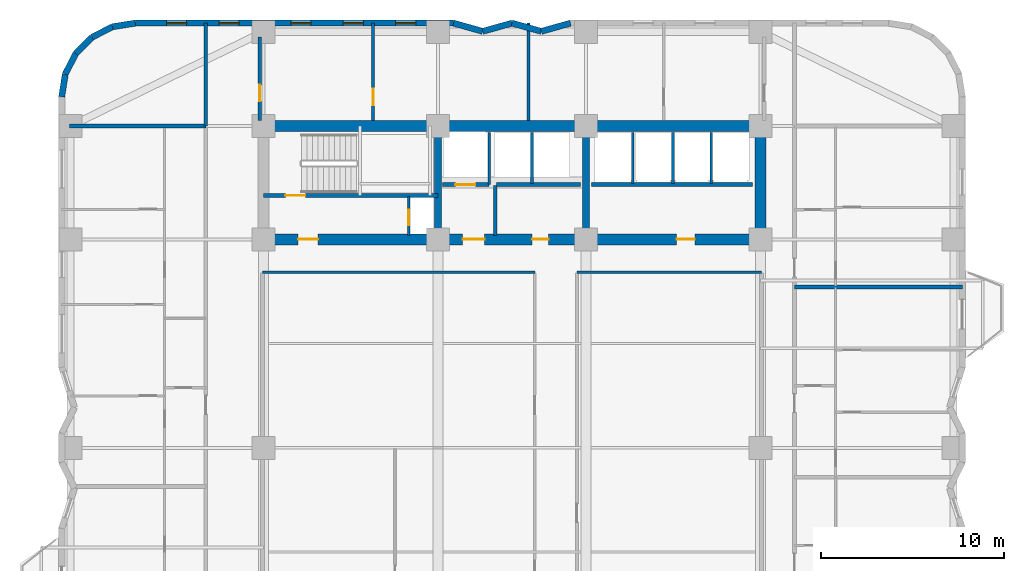
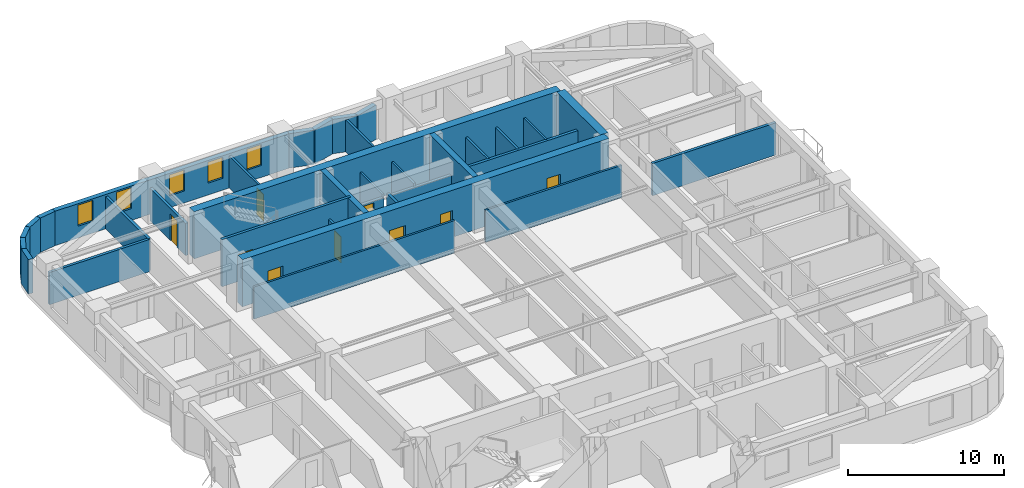
# One storey, part 6 of 9: 34 walls, 9 doors, 5 windows, 14 openings.
"""IFC4 building model written with IfcOpenShell, lengths in metres."""

import ifcopenshell
import ifcopenshell.guid

model = None  # the IFC model being written
_history = None  # IfcOwnerHistory: only IFC2X3 demands one
_inside = {}  # id of a spatial element -> (the spatial element, [elements in it])
_under = {}  # id of a project, library or spatial element -> (it, [spatial elements below it])
_declared = {}  # id of a project -> (the project, [libraries it declares])
_typed = {}  # id of a type object -> (the type object, [elements of that type])
_made_of = {}  # id of a material, layer set ... -> (it, [elements and type objects made of it])


def new_model(schema):
    """Start an empty IFC model of exactly this schema.

    Asked for "IFC4X3", IfcOpenShell would pick the latest addendum, in which some entities
    have other attributes; the version numbers below select the first issue.
    IFC2X3 requires an IfcOwnerHistory on every rooted entity: one is made here for all.
    """
    global model, _history
    if schema == "IFC4X3":
        model = ifcopenshell.file(schema_version=(4, 3, 0, 0))
    else:
        model = ifcopenshell.file(schema=schema)
    _inside.clear()
    _under.clear()
    _declared.clear()
    _typed.clear()
    _made_of.clear()
    _history = None
    if model.schema == "IFC2X3":
        org = make("IfcOrganization", Name="unknown")
        user = make(
            "IfcPersonAndOrganization",
            ThePerson=make("IfcPerson", FamilyName="unknown"),
            TheOrganization=org,
        )
        app = make(
            "IfcApplication",
            ApplicationDeveloper=org,
            Version="unknown",
            ApplicationFullName="unknown",
            ApplicationIdentifier="unknown",
        )
        _history = make(
            "IfcOwnerHistory",
            OwningUser=user,
            OwningApplication=app,
            ChangeAction="ADDED",
            CreationDate=0,
        )
    return model


def make(cls, **values):
    """One entity of the class cls with the attributes given. An attribute that is None is left unset."""
    return model.create_entity(
        cls, **{name: value for name, value in values.items() if value is not None}
    )


def rooted(cls, **values):
    """An entity with a GlobalId (a new one), such as an element, a storey or a relation."""
    return make(cls, GlobalId=ifcopenshell.guid.new(), OwnerHistory=_history, **values)


def si_unit(unit_type, name, prefix=None):
    """IfcSIUnit, for example si_unit("LENGTHUNIT", "METRE", prefix="MILLI")."""
    return make("IfcSIUnit", UnitType=unit_type, Prefix=prefix, Name=name)


def assignment(units):
    """IfcUnitAssignment: the units of a project."""
    return None if units is None else make("IfcUnitAssignment", Units=units)


def point(xyz):
    """IfcCartesianPoint."""
    return None if xyz is None else make("IfcCartesianPoint", Coordinates=xyz)


def direction(xyz):
    """IfcDirection."""
    return None if xyz is None else make("IfcDirection", DirectionRatios=xyz)


def frame(location, z_axis=None, x_axis=None):
    """IfcAxis2Placement3D, a coordinate frame: its origin and axes. An axis left out is left unset."""
    return make(
        "IfcAxis2Placement3D",
        Location=point(location),
        Axis=direction(z_axis),
        RefDirection=direction(x_axis),
    )


def frame_2d(location, x_axis=None):
    """IfcAxis2Placement2D, a coordinate frame in the plane: its origin and x axis."""
    return make(
        "IfcAxis2Placement2D", Location=point(location), RefDirection=direction(x_axis)
    )


def origin():
    """The frame at (0, 0, 0) with its axes left unset."""
    return frame((0.0, 0.0, 0.0))


def place(relative_to, where):
    """IfcLocalPlacement: puts the frame where relative to a parent placement (None: the world)."""
    return make(
        "IfcLocalPlacement", PlacementRelTo=relative_to, RelativePlacement=where
    )


def context(
    kind, dimensions, precision=None, world=None, true_north=None, identifier=None
):
    """IfcGeometricRepresentationContext, for example the 3D "Model" context."""
    return make(
        "IfcGeometricRepresentationContext",
        ContextIdentifier=identifier,
        ContextType=kind,
        CoordinateSpaceDimension=dimensions,
        Precision=precision,
        WorldCoordinateSystem=world,
        TrueNorth=true_north,
    )


def subcontext(parent, identifier, kind, view, scale=None):
    """IfcGeometricRepresentationSubContext, for example "Body" below "Model"."""
    return make(
        "IfcGeometricRepresentationSubContext",
        ContextIdentifier=identifier,
        ContextType=kind,
        ParentContext=parent,
        TargetScale=scale,
        TargetView=view,
    )


def project(units=None, contexts=None):
    """IfcProject with its units and contexts."""
    return rooted(
        "IfcProject",
        Name="project",
        RepresentationContexts=contexts,
        UnitsInContext=assignment(units),
    )


def spatial(cls, under=None, at=None, **own):
    """A site, building, storey or space (cls), placed at a placement, below another one or the project."""
    s = rooted(cls, ObjectPlacement=at, **own)
    if under is not None:
        _under.setdefault(under.id(), (under, []))[1].append(s)
    return s


def profile(cls, at=None, kind="AREA", **sizes):
    """A parametric profile (cls). Its sizes go by their IFC names, for example OverallWidth=200.0."""
    return make(cls, ProfileType=kind, Position=at, **sizes)


def rectangle(**sizes):
    """IfcRectangleProfileDef."""
    return profile("IfcRectangleProfileDef", **sizes)


def extrude(swept, where, along, depth):
    """IfcExtrudedAreaSolid: the profile swept, set in the frame where, extruded along a direction by depth."""
    return make(
        "IfcExtrudedAreaSolid",
        SweptArea=swept,
        Position=where,
        ExtrudedDirection=direction(along),
        Depth=depth,
    )


def shape(context_of_items, identifier, shape_type, items):
    """IfcShapeRepresentation: the items that make up one representation, for example the "Body"."""
    return make(
        "IfcShapeRepresentation",
        ContextOfItems=context_of_items,
        RepresentationIdentifier=identifier,
        RepresentationType=shape_type,
        Items=items,
    )


def material(Name=None, Category=None):
    """IfcMaterial."""
    return make("IfcMaterial", Name=Name, Category=Category)


def layer(
    of_material, thickness, ventilated=None, Name=None, Category=None, Priority=None
):
    """IfcMaterialLayer: one layer of a wall or slab, of a material (None: an air gap)."""
    return make(
        "IfcMaterialLayer",
        Material=of_material,
        LayerThickness=thickness,
        IsVentilated=ventilated,
        Name=Name,
        Category=Category,
        Priority=Priority,
    )


def layer_set(layers, Name=None):
    """IfcMaterialLayerSet."""
    return make("IfcMaterialLayerSet", MaterialLayers=layers, LayerSetName=Name)


def made_of(thing, what):
    """Note that an element or type object is made of a material, layer set ...; save() writes the relation."""
    if what is not None:
        _made_of.setdefault(what.id(), (what, []))[1].append(thing)
    return thing


def type_object(cls, material=None, **own):
    """A type object (cls), such as IfcWallType, which elements share."""
    return made_of(rooted(cls, **own), material)


def element(
    cls,
    number,
    at=None,
    inside=None,
    cuts=None,
    type_object=None,
    material=None,
    context=None,
    identifier="Body",
    shape_type=None,
    held_by="IfcProductDefinitionShape",
    body=None,
    shapes=None,
    **own,
):
    """One element of the class cls, such as IfcWall. Its Tag is "e" and its number.

    at: its placement. inside: the storey or other place that contains it. cuts: it is an
    opening in that element (IfcRelVoidsElement). A single representation is given by context,
    identifier, shape_type and body (its items); several are given by shapes. held_by: the class
    of the entity that holds the representations. save() writes the other relations.
    """
    e = rooted(cls, Tag="e%d" % number, ObjectPlacement=at, **own)
    if body is not None:
        shapes = [shape(context, identifier, shape_type, body)]
    if shapes is not None:
        e.Representation = make(held_by, Representations=shapes)
    if inside is not None:
        _inside.setdefault(inside.id(), (inside, []))[1].append(e)
    if cuts is not None:
        rooted(
            "IfcRelVoidsElement", RelatingBuildingElement=cuts, RelatedOpeningElement=e
        )
    if type_object is not None:
        _typed.setdefault(type_object.id(), (type_object, []))[1].append(e)
    return made_of(e, material)


def fill(opening, filler):
    """IfcRelFillsElement: the door or window that sits in an opening."""
    return rooted(
        "IfcRelFillsElement",
        RelatingOpeningElement=opening,
        RelatedBuildingElement=filler,
    )


def aggregate(whole, parts):
    """IfcRelAggregates: a whole, such as a stair, and the parts it consists of."""
    return rooted("IfcRelAggregates", RelatingObject=whole, RelatedObjects=parts)


def save(model, path):
    """Write the relations noted so far, then the file.

    IfcRelAggregates (storeys below a building ...), IfcRelContainedInSpatialStructure (elements
    in a storey), IfcRelDefinesByType, IfcRelAssociatesMaterial and IfcRelDeclares: one each for
    every whole, place, type object, material and project.
    """
    for whole, parts in _under.values():
        aggregate(whole, parts)
    for where, things in _inside.values():
        rooted(
            "IfcRelContainedInSpatialStructure",
            RelatedElements=things,
            RelatingStructure=where,
        )
    for kind, things in _typed.values():
        rooted("IfcRelDefinesByType", RelatedObjects=things, RelatingType=kind)
    for what, things in _made_of.values():
        rooted("IfcRelAssociatesMaterial", RelatedObjects=things, RelatingMaterial=what)
    for by, libraries in _declared.values():
        rooted("IfcRelDeclares", RelatingContext=by, RelatedDefinitions=libraries)
    model.write(path)


model = new_model("IFC4")

# Units and contexts
model_context = context("Model", 3, precision=1e-05, world=origin(), true_north=direction((0.0, 1.0)))
body_context = subcontext(model_context, "Body", "Model", "MODEL_VIEW")
ifc_project = project(units=[si_unit("LENGTHUNIT", "METRE"), si_unit("AREAUNIT", "SQUARE_METRE"), si_unit("VOLUMEUNIT", "CUBIC_METRE"), si_unit("PLANEANGLEUNIT", "RADIAN"), si_unit("MASSUNIT", "GRAM", prefix="KILO")], contexts=[model_context])

# Site, building, storey
site_placement = place(None, origin())
site = spatial("IfcSite", under=ifc_project, at=site_placement, CompositionType="ELEMENT")
building_placement = place(site_placement, origin())
building = spatial("IfcBuilding", under=site, at=building_placement, Name="Svetorya Sky Lyceum", CompositionType="ELEMENT")
storey_placement = place(building_placement, frame((0.0, 0.0, 62.10009765625)))
storey = spatial("IfcBuildingStorey", under=building, at=storey_placement, Name="L15", CompositionType="ELEMENT", Elevation=62.10009765625)

# Walls
ifc_material_1 = material(Name="Concrete C40/50", Category="concrete")
ifc_layer_1 = layer(ifc_material_1, 0.39990234375)
ifc_layer_set_1 = layer_set([ifc_layer_1], Name="Concrete C40/50")
wall_type_1 = type_object("IfcWallType", Name="WL-CORE-400", PredefinedType="SHEAR", material=ifc_layer_set_1)
for number, where, z_axis, x_axis, name in (
    (1, (35.14990234375, 39.89990234375, 0.0), (0.0, 0.0, 1.0), (0.0, 1.0, 0.0), "L15 NC Internal Shear Web WEB1"),
    (2, (43.25, 39.89990234375, 0.0), (0.0, 0.0, 1.0), (0.0, 1.0, 0.0), "L15 NC Internal Shear Web WEB2"),
):
    element("IfcWall", number, at=place(storey_placement, frame(where, z_axis=z_axis, x_axis=x_axis)), inside=storey, type_object=wall_type_1, Name=name, PredefinedType="SHEAR", context=body_context, shape_type="SweptSolid", body=[
        extrude(rectangle(XDim=5.60009765625, YDim=0.39990234375, at=frame_2d((2.800048828125, 0.0))), origin(), (0.0, 0.0, 1.0), 3.699951171875),
    ])
ifc_material_2 = material(Name="Concrete C60/75", Category="concrete")
ifc_layer_2 = layer(ifc_material_2, 0.60009765625)
ifc_layer_set_2 = layer_set([ifc_layer_2], Name="Concrete C60/75")
wall_type_2 = type_object("IfcWallType", Name="WL-CORE-600", PredefinedType="SHEAR", material=ifc_layer_set_2)
wall_1_placement = place(storey_placement, frame((25.60009765625, 45.800048828125, 0.0), z_axis=(0.0, 0.0, 1.0), x_axis=(1.0, 0.0, 0.0)))
element("IfcWall", 3, at=wall_1_placement, inside=storey, type_object=wall_type_2, Name="L15 NC Outer Core Shear Wall", PredefinedType="SHEAR", context=body_context, shape_type="SweptSolid", body=[
    extrude(rectangle(XDim=27.199951171875, YDim=0.60009765625, at=frame_2d((13.60009765625, 0.0))), origin(), (0.0, 0.0, 1.0), 3.699951171875),
])
wall_2_placement = place(storey_placement, frame((52.800048828125, 39.89990234375, 0.0), z_axis=(0.0, 0.0, 1.0), x_axis=(0.0, 1.0, 0.0)))
element("IfcWall", 4, at=wall_2_placement, inside=storey, type_object=wall_type_2, Name="L15 NC East Core Shear Wall", PredefinedType="SHEAR", context=body_context, shape_type="SweptSolid", body=[
    extrude(rectangle(XDim=5.60009765625, YDim=0.60009765625, at=frame_2d((2.800048828125, 0.0))), origin(), (0.0, 0.0, 1.0), 3.699951171875),
])

# Wall, openings, doors
wall_3_placement = place(storey_placement, frame((52.800048828125, 39.60009765625, 0.0), z_axis=(0.0, 0.0, 1.0), x_axis=(-1.0, 0.0, 0.0)))
wall_3 = element("IfcWall", 5, at=wall_3_placement, inside=storey, type_object=wall_type_2, Name="L15 NC Inner Core Shear Wall", PredefinedType="SHEAR", context=body_context, shape_type="SweptSolid", body=[
    extrude(rectangle(XDim=27.199951171875, YDim=0.60009765625, at=frame_2d((13.60009765625, 0.0))), origin(), (0.0, 0.0, 1.0), 3.699951171875),
])
opening_1_placement = place(wall_3_placement, frame((24.199951171875, 0.0, 0.0)))
opening_1 = element("IfcOpeningElement", 6, at=opening_1_placement, cuts=wall_3, Name="Opening D-ST1", PredefinedType="OPENING", context=body_context, shape_type="SweptSolid", body=[
    extrude(rectangle(XDim=1.10009765625, YDim=2.14990234375, at=frame_2d((0.550048828125, 1.074951171875))), frame((0.0, 0.31005859375, 0.0), z_axis=(0.0, -1.0, 0.0), x_axis=(1.0, 0.0, 0.0)), (0.0, 0.0, 1.0), 0.6201171875),
])
opening_2_placement = place(wall_3_placement, frame((15.10009765625, 0.0, 0.0)))
opening_2 = element("IfcOpeningElement", 7, at=opening_2_placement, cuts=wall_3, Name="Opening D-FL1", PredefinedType="OPENING", context=body_context, shape_type="SweptSolid", body=[
    extrude(rectangle(XDim=1.199951171875, YDim=2.14990234375, at=frame_2d((0.60009765625, 1.074951171875))), frame((0.0, 0.31005859375, 0.0), z_axis=(0.0, -1.0, 0.0), x_axis=(1.0, 0.0, 0.0)), (0.0, 0.0, 1.0), 0.6201171875),
])
opening_3_placement = place(wall_3_placement, frame((11.60009765625, 0.0, 0.0)))
opening_3 = element("IfcOpeningElement", 8, at=opening_3_placement, cuts=wall_3, Name="Opening D-RM1", PredefinedType="OPENING", context=body_context, shape_type="SweptSolid", body=[
    extrude(rectangle(XDim=0.89990234375, YDim=2.10009765625, at=frame_2d((0.449951171875, 1.050048828125))), frame((0.0, 0.31005859375, 0.0), z_axis=(0.0, -1.0, 0.0), x_axis=(1.0, 0.0, 0.0)), (0.0, 0.0, 1.0), 0.6201171875),
])
opening_4_placement = place(wall_3_placement, frame((3.60009765625, 0.0, 0.0)))
opening_4 = element("IfcOpeningElement", 9, at=opening_4_placement, cuts=wall_3, Name="Opening D-RM2", PredefinedType="OPENING", context=body_context, shape_type="SweptSolid", body=[
    extrude(rectangle(XDim=1.0, YDim=2.14990234375, at=frame_2d((0.5, 1.074951171875))), frame((0.0, 0.31005859375, 0.0), z_axis=(0.0, -1.0, 0.0), x_axis=(1.0, 0.0, 0.0)), (0.0, 0.0, 1.0), 0.6201171875),
])
ifc_material_3 = material(Name="Powder-coated insulated galvanized stair fire door")
door_type_1 = type_object("IfcDoorType", Name="DR-FIRE-1100", OperationType="SINGLE_SWING_LEFT", PredefinedType="DOOR", material=ifc_material_3)
door_1_placement = place(opening_1_placement, origin())
door_1 = element("IfcDoor", 10, at=door_1_placement, inside=storey, type_object=door_type_1, Name="L15 North Stair Airlock Door", OperationType="SINGLE_SWING_LEFT", OverallHeight=2.14990234375, OverallWidth=1.10009765625, PredefinedType="DOOR", context=body_context, shape_type="SweptSolid", body=[
    extrude(rectangle(XDim=1.10009765625, YDim=2.14990234375, at=frame_2d((0.550048828125, 1.074951171875))), frame((0.0, 0.02490234375, 0.0), z_axis=(0.0, -1.0, 0.0), x_axis=(1.0, 0.0, 0.0)), (0.0, 0.0, 1.0), 0.050048828125),
])
fill(opening_1, door_1)
ifc_material_4 = material(Name="Powder-coated insulated galvanized fire door")
door_type_2 = type_object("IfcDoorType", Name="DR-FIRE-1200", OperationType="SINGLE_SWING_LEFT", PredefinedType="DOOR", material=ifc_material_4)
door_2_placement = place(opening_2_placement, origin())
door_2 = element("IfcDoor", 11, at=door_2_placement, inside=storey, type_object=door_type_2, Name="L15 North Firefighting Lift Lobby Door", OperationType="SINGLE_SWING_RIGHT", OverallHeight=2.14990234375, OverallWidth=1.199951171875, PredefinedType="DOOR", context=body_context, shape_type="SweptSolid", body=[
    extrude(rectangle(XDim=1.199951171875, YDim=2.14990234375, at=frame_2d((0.60009765625, 1.074951171875))), frame((0.0, 0.02490234375, 0.0), z_axis=(0.0, -1.0, 0.0), x_axis=(1.0, 0.0, 0.0)), (0.0, 0.0, 1.0), 0.050048828125),
])
fill(opening_2, door_2)
ifc_material_5 = material(Name="Solid-core oak acoustic room door")
door_type_3 = type_object("IfcDoorType", Name="DR-INT-1000", OperationType="SINGLE_SWING_LEFT", PredefinedType="DOOR", material=ifc_material_5)
door_3_placement = place(opening_4_placement, origin())
door_3 = element("IfcDoor", 12, at=door_3_placement, inside=storey, type_object=door_type_3, Name="L15 North Trunk Store Door", OperationType="SINGLE_SWING_LEFT", OverallHeight=2.14990234375, OverallWidth=1.0, PredefinedType="DOOR", context=body_context, shape_type="SweptSolid", body=[
    extrude(rectangle(XDim=1.0, YDim=2.14990234375, at=frame_2d((0.5, 1.074951171875))), frame((0.0, 0.02490234375, 0.0), z_axis=(0.0, -1.0, 0.0), x_axis=(1.0, 0.0, 0.0)), (0.0, 0.0, 1.0), 0.050048828125),
])
fill(opening_4, door_3)
ifc_material_6 = material(Name="Lacquered birch veneer internal door")
door_type_4 = type_object("IfcDoorType", Name="DR-INT-900", OperationType="SINGLE_SWING_LEFT", PredefinedType="DOOR", material=ifc_material_6)
door_4_placement = place(opening_3_placement, origin())
door_4 = element("IfcDoor", 13, at=door_4_placement, inside=storey, type_object=door_type_4, Name="L15 North Equipment Store Door", OperationType="SINGLE_SWING_LEFT", OverallHeight=2.10009765625, OverallWidth=0.89990234375, PredefinedType="DOOR", context=body_context, shape_type="SweptSolid", body=[
    extrude(rectangle(XDim=0.89990234375, YDim=2.10009765625, at=frame_2d((0.449951171875, 1.050048828125))), frame((0.0, 0.02490234375, 0.0), z_axis=(0.0, -1.0, 0.0), x_axis=(1.0, 0.0, 0.0)), (0.0, 0.0, 1.0), 0.050048828125),
])
fill(opening_3, door_4)

# Walls
ifc_material_7 = material(Name="Putilovo limestone rainscreen on autoclaved cellular masonry", Category="masonry")
ifc_layer_3 = layer(ifc_material_7, 0.340087890625)
ifc_layer_set_3 = layer_set([ifc_layer_3], Name="Putilovo limestone rainscreen on autoclaved cellular masonry")
wall_type_3 = type_object("IfcWallType", Name="WL-EXT-340", PredefinedType="SOLIDWALL", material=ifc_layer_set_3)
wall_4_placement = place(storey_placement, frame((42.39990234375, 51.429931640625, 0.0), z_axis=(0.0, 0.0, 1.0), x_axis=(-0.962652136636, -0.270741322725, 0.0)))
element("IfcWall", 14, at=wall_4_placement, inside=storey, type_object=wall_type_3, Name="L15 Limestone Exterior Wall 30M", PredefinedType="SOLIDWALL", context=body_context, shape_type="SweptSolid", body=[
    extrude(rectangle(XDim=1.661865234375, YDim=0.340087890625, at=frame_2d((0.8310546875, 0.0))), origin(), (0.0, 0.0, 1.0), 2.699951171875),
])
wall_5_placement = place(storey_placement, frame((40.800048828125, 50.97998046875, 0.0), z_axis=(0.0, 0.0, 1.0), x_axis=(-0.962662902433, 0.270703040766, 0.0)))
element("IfcWall", 15, at=wall_5_placement, inside=storey, type_object=wall_type_3, Name="L15 Limestone Exterior Wall 31M", PredefinedType="SOLIDWALL", context=body_context, shape_type="SweptSolid", body=[
    extrude(rectangle(XDim=1.662109375, YDim=0.340087890625, at=frame_2d((0.8310546875, 0.0))), origin(), (0.0, 0.0, 1.0), 2.699951171875),
])
wall_6_placement = place(storey_placement, frame((39.199951171875, 51.429931640625, 0.0), z_axis=(0.0, 0.0, 1.0), x_axis=(-0.962652136636, -0.270741322725, 0.0)))
element("IfcWall", 16, at=wall_6_placement, inside=storey, type_object=wall_type_3, Name="L15 Limestone Exterior Wall 32M", PredefinedType="SOLIDWALL", context=body_context, shape_type="SweptSolid", body=[
    extrude(rectangle(XDim=1.661865234375, YDim=0.340087890625, at=frame_2d((0.8310546875, 0.0))), origin(), (0.0, 0.0, 1.0), 2.699951171875),
])
wall_7_placement = place(storey_placement, frame((37.60009765625, 50.97998046875, 0.0), z_axis=(0.0, 0.0, 1.0), x_axis=(-0.962662902433, 0.270703040766, 0.0)))
element("IfcWall", 17, at=wall_7_placement, inside=storey, type_object=wall_type_3, Name="L15 Limestone Exterior Wall 33M", PredefinedType="SOLIDWALL", context=body_context, shape_type="SweptSolid", body=[
    extrude(rectangle(XDim=1.662109375, YDim=0.340087890625, at=frame_2d((0.8310546875, 0.0))), origin(), (0.0, 0.0, 1.0), 2.699951171875),
])

# Wall, openings, windows
wall_8_placement = place(storey_placement, frame((36.0, 51.429931640625, 0.0), z_axis=(0.0, 0.0, 1.0), x_axis=(-1.0, 0.0, 0.0)))
wall_8 = element("IfcWall", 18, at=wall_8_placement, inside=storey, type_object=wall_type_3, Name="L15 Limestone Exterior Wall 34M", PredefinedType="SOLIDWALL", context=body_context, shape_type="SweptSolid", body=[
    extrude(rectangle(XDim=17.39990234375, YDim=0.340087890625, at=frame_2d((8.699951171875, 0.0))), origin(), (0.0, 0.0, 1.0), 2.699951171875),
])
opening_5_placement = place(wall_8_placement, frame((2.06005859375, 0.0, 0.929931640625)))
opening_5 = element("IfcOpeningElement", 19, at=opening_5_placement, cuts=wall_8, Name="Opening W-R3", PredefinedType="OPENING", context=body_context, shape_type="SweptSolid", body=[
    extrude(rectangle(XDim=1.10009765625, YDim=1.64990234375, at=frame_2d((0.550048828125, 0.824951171875))), frame((0.0, 0.179931640625, 0.0), z_axis=(0.0, -1.0, 0.0), x_axis=(1.0, 0.0, 0.0)), (0.0, 0.0, 1.0), 0.360107421875),
])
opening_6_placement = place(wall_8_placement, frame((4.929931640625, 0.0, 0.929931640625)))
opening_6 = element("IfcOpeningElement", 20, at=opening_6_placement, cuts=wall_8, Name="Opening W-R3", PredefinedType="OPENING", context=body_context, shape_type="SweptSolid", body=[
    extrude(rectangle(XDim=1.10009765625, YDim=1.64990234375, at=frame_2d((0.550048828125, 0.824951171875))), frame((0.0, 0.179931640625, 0.0), z_axis=(0.0, -1.0, 0.0), x_axis=(1.0, 0.0, 0.0)), (0.0, 0.0, 1.0), 0.360107421875),
])
opening_7_placement = place(wall_8_placement, frame((7.800048828125, 0.0, 0.929931640625)))
opening_7 = element("IfcOpeningElement", 21, at=opening_7_placement, cuts=wall_8, Name="Opening W-R3", PredefinedType="OPENING", context=body_context, shape_type="SweptSolid", body=[
    extrude(rectangle(XDim=1.10009765625, YDim=1.64990234375, at=frame_2d((0.550048828125, 0.824951171875))), frame((0.0, 0.179931640625, 0.0), z_axis=(0.0, -1.0, 0.0), x_axis=(1.0, 0.0, 0.0)), (0.0, 0.0, 1.0), 0.360107421875),
])
opening_8_placement = place(wall_8_placement, frame((11.719970703125, 0.0, 0.929931640625)))
opening_8 = element("IfcOpeningElement", 22, at=opening_8_placement, cuts=wall_8, Name="Opening W-R3", PredefinedType="OPENING", context=body_context, shape_type="SweptSolid", body=[
    extrude(rectangle(XDim=1.10009765625, YDim=1.64990234375, at=frame_2d((0.550048828125, 0.824951171875))), frame((0.0, 0.179931640625, 0.0), z_axis=(0.0, -1.0, 0.0), x_axis=(1.0, 0.0, 0.0)), (0.0, 0.0, 1.0), 0.360107421875),
])
opening_9_placement = place(wall_8_placement, frame((14.590087890625, 0.0, 0.929931640625)))
opening_9 = element("IfcOpeningElement", 23, at=opening_9_placement, cuts=wall_8, Name="Opening W-R3", PredefinedType="OPENING", context=body_context, shape_type="SweptSolid", body=[
    extrude(rectangle(XDim=1.10009765625, YDim=1.64990234375, at=frame_2d((0.550048828125, 0.824951171875))), frame((0.0, 0.179931640625, 0.0), z_axis=(0.0, -1.0, 0.0), x_axis=(1.0, 0.0, 0.0)), (0.0, 0.0, 1.0), 0.360107421875),
])
ifc_material_8 = material(Name="Thermally broken aluminium frame with triple low-E glazing", Category="aluminium")
window_type = type_object("IfcWindowType", Name="WN-RES-110", PartitioningType="SINGLE_PANEL", PredefinedType="WINDOW", material=ifc_material_8)
window_1_placement = place(opening_5_placement, origin())
window_1 = element("IfcWindow", 24, at=window_1_placement, inside=storey, type_object=window_type, Name="L15 Facade Window W-R3.34M.1", OverallHeight=1.64990234375, OverallWidth=1.10009765625, PartitioningType="SINGLE_PANEL", PredefinedType="WINDOW", context=body_context, shape_type="SweptSolid", body=[
    extrude(rectangle(XDim=1.10009765625, YDim=1.64990234375, at=frame_2d((0.550048828125, 0.824951171875))), frame((0.0, 0.030029296875, 0.0), z_axis=(0.0, -1.0, 0.0), x_axis=(1.0, 0.0, 0.0)), (0.0, 0.0, 1.0), 0.06005859375),
])
fill(opening_5, window_1)
window_2_placement = place(opening_6_placement, origin())
window_2 = element("IfcWindow", 25, at=window_2_placement, inside=storey, type_object=window_type, Name="L15 Facade Window W-R3.34M.2", OverallHeight=1.64990234375, OverallWidth=1.10009765625, PartitioningType="SINGLE_PANEL", PredefinedType="WINDOW", context=body_context, shape_type="SweptSolid", body=[
    extrude(rectangle(XDim=1.10009765625, YDim=1.64990234375, at=frame_2d((0.550048828125, 0.824951171875))), frame((0.0, 0.030029296875, 0.0), z_axis=(0.0, -1.0, 0.0), x_axis=(1.0, 0.0, 0.0)), (0.0, 0.0, 1.0), 0.06005859375),
])
fill(opening_6, window_2)
window_3_placement = place(opening_7_placement, origin())
window_3 = element("IfcWindow", 26, at=window_3_placement, inside=storey, type_object=window_type, Name="L15 Facade Window W-R3.34M.3", OverallHeight=1.64990234375, OverallWidth=1.10009765625, PartitioningType="SINGLE_PANEL", PredefinedType="WINDOW", context=body_context, shape_type="SweptSolid", body=[
    extrude(rectangle(XDim=1.10009765625, YDim=1.64990234375, at=frame_2d((0.550048828125, 0.824951171875))), frame((0.0, 0.030029296875, 0.0), z_axis=(0.0, -1.0, 0.0), x_axis=(1.0, 0.0, 0.0)), (0.0, 0.0, 1.0), 0.06005859375),
])
fill(opening_7, window_3)
window_4_placement = place(opening_8_placement, origin())
window_4 = element("IfcWindow", 27, at=window_4_placement, inside=storey, type_object=window_type, Name="L15 Facade Window W-R3.34M.4", OverallHeight=1.64990234375, OverallWidth=1.10009765625, PartitioningType="SINGLE_PANEL", PredefinedType="WINDOW", context=body_context, shape_type="SweptSolid", body=[
    extrude(rectangle(XDim=1.10009765625, YDim=1.64990234375, at=frame_2d((0.550048828125, 0.824951171875))), frame((0.0, 0.030029296875, 0.0), z_axis=(0.0, -1.0, 0.0), x_axis=(1.0, 0.0, 0.0)), (0.0, 0.0, 1.0), 0.06005859375),
])
fill(opening_8, window_4)
window_5_placement = place(opening_9_placement, origin())
window_5 = element("IfcWindow", 28, at=window_5_placement, inside=storey, type_object=window_type, Name="L15 Facade Window W-R3.34M.5", OverallHeight=1.64990234375, OverallWidth=1.10009765625, PartitioningType="SINGLE_PANEL", PredefinedType="WINDOW", context=body_context, shape_type="SweptSolid", body=[
    extrude(rectangle(XDim=1.10009765625, YDim=1.64990234375, at=frame_2d((0.550048828125, 0.824951171875))), frame((0.0, 0.030029296875, 0.0), z_axis=(0.0, -1.0, 0.0), x_axis=(1.0, 0.0, 0.0)), (0.0, 0.0, 1.0), 0.06005859375),
])
fill(opening_9, window_5)

# Walls
wall_9_placement = place(storey_placement, frame((18.60009765625, 51.429931640625, 0.0), z_axis=(0.0, 0.0, 1.0), x_axis=(-0.98771582066, -0.156260864002, 0.0)))
element("IfcWall", 29, at=wall_9_placement, inside=storey, type_object=wall_type_3, Name="L15 Limestone Exterior Wall 35M", PredefinedType="SOLIDWALL", context=body_context, shape_type="SweptSolid", body=[
    extrude(rectangle(XDim=1.2607421875, YDim=0.340087890625, at=frame_2d((0.63037109375, 0.0))), origin(), (0.0, 0.0, 1.0), 2.699951171875),
])
for number, where, z_axis, x_axis, name in (
    (30, (17.354736328125, 51.23291015625, 0.0), (0.0, 0.0, 1.0), (-0.890993689142, -0.454015689056, 0.0), "L15 Limestone Exterior Wall 36M"),
    (31, (16.231201171875, 50.660400390625, 0.0), (0.0, 0.0, 1.0), (-0.707106781187, -0.707106781187, 0.0), "L15 Limestone Exterior Wall 37M"),
    (32, (15.339599609375, 49.768798828125, 0.0), (0.0, 0.0, 1.0), (-0.454015689056, -0.890993689142, 0.0), "L15 Limestone Exterior Wall 38M"),
):
    element("IfcWall", number, at=place(storey_placement, frame(where, z_axis=z_axis, x_axis=x_axis)), inside=storey, type_object=wall_type_3, Name=name, PredefinedType="SOLIDWALL", context=body_context, shape_type="SweptSolid", body=[
        extrude(rectangle(XDim=1.260986328125, YDim=0.340087890625, at=frame_2d((0.63037109375, 0.0))), origin(), (0.0, 0.0, 1.0), 2.699951171875),
    ])
wall_10_placement = place(storey_placement, frame((14.76708984375, 48.645263671875, 0.0), z_axis=(0.0, 0.0, 1.0), x_axis=(-0.156260864002, -0.98771582066, 0.0)))
element("IfcWall", 33, at=wall_10_placement, inside=storey, type_object=wall_type_3, Name="L15 Limestone Exterior Wall 39M", PredefinedType="SOLIDWALL", context=body_context, shape_type="SweptSolid", body=[
    extrude(rectangle(XDim=1.2607421875, YDim=0.340087890625, at=frame_2d((0.63037109375, 0.0))), origin(), (0.0, 0.0, 1.0), 2.699951171875),
])

# Wall, opening, door
ifc_material_9 = material(Name="Autoclaved cellular masonry blockwork with acoustic render", Category="masonry")
ifc_layer_4 = layer(ifc_material_9, 0.14990234375)
ifc_layer_set_4 = layer_set([ifc_layer_4], Name="Autoclaved cellular masonry blockwork with acoustic render")
wall_type_4 = type_object("IfcWallType", Name="WL-PART-150", PredefinedType="PARTITIONING", material=ifc_layer_set_4)
wall_11_placement = place(storey_placement, frame((33.550048828125, 39.820068359375, 0.0), z_axis=(0.0, 0.0, 1.0), x_axis=(0.0, 1.0, 0.0)))
wall_11 = element("IfcWall", 34, at=wall_11_placement, inside=storey, type_object=wall_type_4, Name="L15 Interior Partition NC-RSRW", PredefinedType="PARTITIONING", context=body_context, shape_type="SweptSolid", body=[
    extrude(rectangle(XDim=2.1298828125, YDim=0.14990234375, at=frame_2d((1.06494140625, 0.0))), origin(), (0.0, 0.0, 1.0), 2.52978515625),
])
opening_10_placement = place(wall_11_placement, frame((0.550048828125, 0.0, 0.0)))
opening_10 = element("IfcOpeningElement", 35, at=opening_10_placement, cuts=wall_11, Name="Opening D-SH1", PredefinedType="OPENING", context=body_context, shape_type="SweptSolid", body=[
    extrude(rectangle(XDim=0.85009765625, YDim=2.050048828125, at=frame_2d((0.425048828125, 1.02490234375))), frame((0.0, 0.0849609375, 0.0), z_axis=(0.0, -1.0, 0.0), x_axis=(1.0, 0.0, 0.0)), (0.0, 0.0, 1.0), 0.169921875),
])
ifc_material_10 = material(Name="Insulated galvanized riser inspection fire door")
door_type_5 = type_object("IfcDoorType", Name="DR-SHFT-850", OperationType="SINGLE_SWING_LEFT", PredefinedType="TRAPDOOR", material=ifc_material_10)
door_5_placement = place(opening_10_placement, origin())
door_5 = element("IfcDoor", 36, at=door_5_placement, inside=storey, type_object=door_type_5, Name="L15 North Riser Access Door", OperationType="SINGLE_SWING_LEFT", OverallHeight=2.050048828125, OverallWidth=0.85009765625, PredefinedType="TRAPDOOR", context=body_context, shape_type="SweptSolid", body=[
    extrude(rectangle(XDim=0.85009765625, YDim=2.050048828125, at=frame_2d((0.425048828125, 1.02490234375))), frame((0.0, 0.02490234375, 0.0), z_axis=(0.0, -1.0, 0.0), x_axis=(1.0, 0.0, 0.0)), (0.0, 0.0, 1.0), 0.050048828125),
])
fill(opening_10, door_5)

# Walls
wall_12_placement = place(storey_placement, frame((37.949951171875, 42.60009765625, 0.0), z_axis=(0.0, 0.0, 1.0), x_axis=(0.0, 1.0, 0.0)))
element("IfcWall", 37, at=wall_12_placement, inside=storey, type_object=wall_type_4, Name="L15 Interior Partition NC-FL1SIDE", PredefinedType="PARTITIONING", context=body_context, shape_type="SweptSolid", body=[
    extrude(rectangle(XDim=2.849853515625, YDim=0.14990234375, at=frame_2d((1.4248046875, 0.0))), origin(), (0.0, 0.0, 1.0), 2.52978515625),
])
for number, where, z_axis, x_axis, name in (
    (38, (40.300048828125, 42.64990234375, 0.0), (0.0, 0.0, 1.0), (0.0, 1.0, 0.0), "L15 Interior Partition NC-PM-D1"),
    (39, (45.800048828125, 42.64990234375, 0.0), (0.0, 0.0, 1.0), (0.0, 1.0, 0.0), "L15 Interior Partition NC-PM3-D"),
    (40, (48.0, 42.64990234375, 0.0), (0.0, 0.0, 1.0), (0.0, 1.0, 0.0), "L15 Interior Partition NC-PH-D1"),
    (41, (50.10009765625, 42.64990234375, 0.0), (0.0, 0.0, 1.0), (0.0, 1.0, 0.0), "L15 Interior Partition NC-PH-D2"),
):
    element("IfcWall", number, at=place(storey_placement, frame(where, z_axis=z_axis, x_axis=x_axis)), inside=storey, type_object=wall_type_4, Name=name, PredefinedType="PARTITIONING", context=body_context, shape_type="SweptSolid", body=[
        extrude(rectangle(XDim=2.800048828125, YDim=0.14990234375, at=frame_2d((1.39990234375, 0.0))), origin(), (0.0, 0.0, 1.0), 2.52978515625),
    ])
wall_13_placement = place(storey_placement, frame((25.550048828125, 37.800048828125, 0.0), z_axis=(0.0, 0.0, 1.0), x_axis=(1.0, 0.0, 0.0)))
element("IfcWall", 42, at=wall_13_placement, inside=storey, type_object=wall_type_4, Name="L15 Interior Partition CN-MID-W", PredefinedType="PARTITIONING", context=body_context, shape_type="SweptSolid", body=[
    extrude(rectangle(XDim=14.89990234375, YDim=0.14990234375, at=frame_2d((7.449951171875, 0.0))), origin(), (0.0, 0.0, 1.0), 2.52978515625),
])
wall_14_placement = place(storey_placement, frame((42.75, 37.800048828125, 0.0), z_axis=(0.0, 0.0, 1.0), x_axis=(1.0, 0.0, 0.0)))
element("IfcWall", 43, at=wall_14_placement, inside=storey, type_object=wall_type_4, Name="L15 Interior Partition CN-MID-E", PredefinedType="PARTITIONING", context=body_context, shape_type="SweptSolid", body=[
    extrude(rectangle(XDim=10.10009765625, YDim=0.14990234375, at=frame_2d((5.050048828125, 0.0))), origin(), (0.0, 0.0, 1.0), 2.52978515625),
])

# Wall, opening, door
wall_15_placement = place(storey_placement, frame((31.60009765625, 46.10009765625, 0.0), z_axis=(0.0, 0.0, 1.0), x_axis=(0.0, 1.0, 0.0)))
wall_15 = element("IfcWall", 44, at=wall_15_placement, inside=storey, type_object=wall_type_4, Name="L15 Interior Partition N4-D1", PredefinedType="PARTITIONING", context=body_context, shape_type="SweptSolid", body=[
    extrude(rectangle(XDim=5.329833984375, YDim=0.14990234375, at=frame_2d((2.6650390625, 0.0))), origin(), (0.0, 0.0, 1.0), 2.52978515625),
])
opening_11_placement = place(wall_15_placement, frame((0.85009765625, 0.0, 0.0)))
opening_11 = element("IfcOpeningElement", 45, at=opening_11_placement, cuts=wall_15, Name="Opening D-RM1", PredefinedType="OPENING", context=body_context, shape_type="SweptSolid", body=[
    extrude(rectangle(XDim=0.89990234375, YDim=2.10009765625, at=frame_2d((0.449951171875, 1.050048828125))), frame((0.0, 0.0849609375, 0.0), z_axis=(0.0, -1.0, 0.0), x_axis=(1.0, 0.0, 0.0)), (0.0, 0.0, 1.0), 0.169921875),
])
door_6_placement = place(opening_11_placement, origin())
door_6 = element("IfcDoor", 46, at=door_6_placement, inside=storey, type_object=door_type_4, Name="L15 North Suite Door 1", OperationType="SINGLE_SWING_RIGHT", OverallHeight=2.10009765625, OverallWidth=0.89990234375, PredefinedType="DOOR", context=body_context, shape_type="SweptSolid", body=[
    extrude(rectangle(XDim=0.89990234375, YDim=2.10009765625, at=frame_2d((0.449951171875, 1.050048828125))), frame((0.0, 0.02490234375, 0.0), z_axis=(0.0, -1.0, 0.0), x_axis=(1.0, 0.0, 0.0)), (0.0, 0.0, 1.0), 0.050048828125),
])
fill(opening_11, door_6)

# Wall
wall_16_placement = place(storey_placement, frame((40.10009765625, 46.10009765625, 0.0), z_axis=(0.0, 0.0, 1.0), x_axis=(0.0, 1.0, 0.0)))
element("IfcWall", 47, at=wall_16_placement, inside=storey, type_object=wall_type_4, Name="L15 Interior Partition N4-D2", PredefinedType="PARTITIONING", context=body_context, shape_type="SweptSolid", body=[
    extrude(rectangle(XDim=5.329833984375, YDim=0.14990234375, at=frame_2d((2.6650390625, 0.0))), origin(), (0.0, 0.0, 1.0), 2.52978515625),
])

# Wall, opening, door
ifc_material_11 = material(Name="Autoclaved cellular masonry blockwork with gypsum plaster", Category="masonry")
ifc_layer_5 = layer(ifc_material_11, 0.199951171875)
ifc_layer_set_5 = layer_set([ifc_layer_5], Name="Autoclaved cellular masonry blockwork with gypsum plaster")
wall_type_5 = type_object("IfcWallType", Name="WL-PART-200", PredefinedType="PARTITIONING", material=ifc_layer_set_5)
wall_17_placement = place(storey_placement, frame((37.949951171875, 42.60009765625, 0.0), z_axis=(0.0, 0.0, 1.0), x_axis=(-1.0, 0.0, 0.0)))
wall_17 = element("IfcWall", 48, at=wall_17_placement, inside=storey, type_object=wall_type_5, Name="L15 Interior Partition NC-FL1W", PredefinedType="PARTITIONING", context=body_context, shape_type="SweptSolid", body=[
    extrude(rectangle(XDim=2.550048828125, YDim=0.199951171875, at=frame_2d((1.27490234375, 0.0))), origin(), (0.0, 0.0, 1.0), 2.2998046875),
])
opening_12_placement = place(wall_17_placement, frame((0.75, 0.0, 0.0)))
opening_12 = element("IfcOpeningElement", 49, at=opening_12_placement, cuts=wall_17, Name="Opening LD-FL", PredefinedType="OPENING", context=body_context, shape_type="SweptSolid", body=[
    extrude(rectangle(XDim=1.10009765625, YDim=2.14990234375, at=frame_2d((0.550048828125, 1.074951171875))), frame((0.0, 0.10986328125, 0.0), z_axis=(0.0, -1.0, 0.0), x_axis=(1.0, 0.0, 0.0)), (0.0, 0.0, 1.0), 0.219970703125),
])
ifc_material_12 = material(Name="Fire-rated stainless AISI 304 firefighting lift landing door")
door_type_6 = type_object("IfcDoorType", Name="DR-LIFT-1100", OperationType="SLIDING_TO_LEFT", PredefinedType="DOOR", material=ifc_material_12)
door_7_placement = place(opening_12_placement, origin())
door_7 = element("IfcDoor", 50, at=door_7_placement, inside=storey, type_object=door_type_6, Name="L15 Firefighting Lift FL1 Landing Door", OperationType="SLIDING_TO_LEFT", OverallHeight=2.14990234375, OverallWidth=1.10009765625, PredefinedType="DOOR", context=body_context, shape_type="SweptSolid", body=[
    extrude(rectangle(XDim=1.10009765625, YDim=2.14990234375, at=frame_2d((0.550048828125, 1.074951171875))), frame((0.0, 0.02490234375, 0.0), z_axis=(0.0, -1.0, 0.0), x_axis=(1.0, 0.0, 0.0)), (0.0, 0.0, 1.0), 0.050048828125),
])
fill(opening_12, door_7)

# Walls
wall_18_placement = place(storey_placement, frame((38.280029296875, 39.820068359375, 0.0), z_axis=(0.0, 0.0, 1.0), x_axis=(0.0, 1.0, 0.0)))
element("IfcWall", 51, at=wall_18_placement, inside=storey, type_object=wall_type_5, Name="L15 Interior Partition NC-FFLDIV", PredefinedType="PARTITIONING", context=body_context, shape_type="SweptSolid", body=[
    extrude(rectangle(XDim=2.72998046875, YDim=0.199951171875, at=frame_2d((1.364990234375, 0.0))), origin(), (0.0, 0.0, 1.0), 2.52978515625),
])
wall_19_placement = place(storey_placement, frame((42.949951171875, 42.60009765625, 0.0), z_axis=(0.0, 0.0, 1.0), x_axis=(-1.0, 0.0, 0.0)))
element("IfcWall", 52, at=wall_19_placement, inside=storey, type_object=wall_type_5, Name="L15 Interior Partition NC-PM12W", PredefinedType="PARTITIONING", context=body_context, shape_type="SweptSolid", body=[
    extrude(rectangle(XDim=4.599853515625, YDim=0.199951171875, at=frame_2d((2.2998046875, 0.0))), origin(), (0.0, 0.0, 1.0), 2.2998046875),
])
wall_20_placement = place(storey_placement, frame((52.35009765625, 42.60009765625, 0.0), z_axis=(0.0, 0.0, 1.0), x_axis=(-1.0, 0.0, 0.0)))
element("IfcWall", 53, at=wall_20_placement, inside=storey, type_object=wall_type_5, Name="L15 Interior Partition NC-PHEW", PredefinedType="PARTITIONING", context=body_context, shape_type="SweptSolid", body=[
    extrude(rectangle(XDim=8.800048828125, YDim=0.199951171875, at=frame_2d((4.39990234375, 0.0))), origin(), (0.0, 0.0, 1.0), 2.52978515625),
])
wall_21_placement = place(storey_placement, frame((14.989990234375, 45.800048828125, 0.0), z_axis=(0.0, 0.0, 1.0), x_axis=(1.0, 0.0, 0.0)))
element("IfcWall", 54, at=wall_21_placement, inside=storey, type_object=wall_type_5, Name="L15 Interior Partition W-CAP-N", PredefinedType="PARTITIONING", context=body_context, shape_type="SweptSolid", body=[
    extrude(rectangle(XDim=7.4599609375, YDim=0.199951171875, at=frame_2d((3.72998046875, 0.0))), origin(), (0.0, 0.0, 1.0), 2.52978515625),
])
wall_22_placement = place(storey_placement, frame((54.64990234375, 37.0, 0.0), z_axis=(0.0, 0.0, 1.0), x_axis=(1.0, 0.0, 0.0)))
element("IfcWall", 55, at=wall_22_placement, inside=storey, type_object=wall_type_5, Name="L15 Interior Partition E-PARTY-3", PredefinedType="PARTITIONING", context=body_context, shape_type="SweptSolid", body=[
    extrude(rectangle(XDim=9.18017578125, YDim=0.199951171875, at=frame_2d((4.590087890625, 0.0))), origin(), (0.0, 0.0, 1.0), 2.52978515625),
])
wall_23_placement = place(storey_placement, frame((22.449951171875, 45.800048828125, 0.0), z_axis=(0.0, 0.0, 1.0), x_axis=(0.0, 1.0, 0.0)))
element("IfcWall", 56, at=wall_23_placement, inside=storey, type_object=wall_type_5, Name="L15 Interior Partition WC-NW-END", PredefinedType="PARTITIONING", context=body_context, shape_type="SweptSolid", body=[
    extrude(rectangle(XDim=5.6298828125, YDim=0.199951171875, at=frame_2d((2.81494140625, 0.0))), origin(), (0.0, 0.0, 1.0), 2.52978515625),
])

# Wall, opening, door
wall_24_placement = place(storey_placement, frame((25.39990234375, 46.10009765625, 0.0), z_axis=(0.0, 0.0, 1.0), x_axis=(0.0, 1.0, 0.0)))
wall_24 = element("IfcWall", 57, at=wall_24_placement, inside=storey, type_object=wall_type_5, Name="L15 Interior Partition N4-EW", PredefinedType="PARTITIONING", context=body_context, shape_type="SweptSolid", body=[
    extrude(rectangle(XDim=4.579833984375, YDim=0.199951171875, at=frame_2d((2.2900390625, 0.0))), origin(), (0.0, 0.0, 1.0), 2.52978515625),
])
opening_13_placement = place(wall_24_placement, frame((1.050048828125, 0.0, 0.0)))
opening_13 = element("IfcOpeningElement", 58, at=opening_13_placement, cuts=wall_24, Name="Opening D-RM1", PredefinedType="OPENING", context=body_context, shape_type="SweptSolid", body=[
    extrude(rectangle(XDim=0.89990234375, YDim=2.10009765625, at=frame_2d((0.449951171875, 1.050048828125))), frame((0.0, 0.10986328125, 0.0), z_axis=(0.0, -1.0, 0.0), x_axis=(1.0, 0.0, 0.0)), (0.0, 0.0, 1.0), 0.219970703125),
])
door_8_placement = place(opening_13_placement, origin())
door_8 = element("IfcDoor", 59, at=door_8_placement, inside=storey, type_object=door_type_4, Name="L15 NW Study Door", OperationType="SINGLE_SWING_RIGHT", OverallHeight=2.10009765625, OverallWidth=0.89990234375, PredefinedType="DOOR", context=body_context, shape_type="SweptSolid", body=[
    extrude(rectangle(XDim=0.89990234375, YDim=2.10009765625, at=frame_2d((0.449951171875, 1.050048828125))), frame((0.0, 0.02490234375, 0.0), z_axis=(0.0, -1.0, 0.0), x_axis=(1.0, 0.0, 0.0)), (0.0, 0.0, 1.0), 0.050048828125),
])
fill(opening_13, door_8)

ifc_material_13 = material(Name="Concrete C50/60", Category="concrete")
ifc_layer_6 = layer(ifc_material_13, 0.199951171875)
ifc_layer_set_6 = layer_set([ifc_layer_6], Name="Concrete C50/60")
wall_type_6 = type_object("IfcWallType", Name="WL-SHW-200", PredefinedType="SHEAR", material=ifc_layer_set_6)
wall_25_placement = place(storey_placement, frame((35.14990234375, 42.0, 0.0), z_axis=(0.0, 0.0, 1.0), x_axis=(-1.0, 0.0, 0.0)))
wall_25 = element("IfcWall", 60, at=wall_25_placement, inside=storey, type_object=wall_type_6, Name="L15 Structural Stair Shaft Wall NC-STW", PredefinedType="SHEAR", context=body_context, shape_type="SweptSolid", body=[
    extrude(rectangle(XDim=9.5498046875, YDim=0.199951171875, at=frame_2d((4.77490234375, 0.0))), origin(), (0.0, 0.0, 1.0), 3.699951171875),
])
opening_14_placement = place(wall_25_placement, frame((7.25, 0.0, 0.0)))
opening_14 = element("IfcOpeningElement", 61, at=opening_14_placement, cuts=wall_25, Name="Opening D-ST1", PredefinedType="OPENING", context=body_context, shape_type="SweptSolid", body=[
    extrude(rectangle(XDim=1.10009765625, YDim=2.14990234375, at=frame_2d((0.550048828125, 1.074951171875))), frame((0.0, 0.10986328125, 0.0), z_axis=(0.0, -1.0, 0.0), x_axis=(1.0, 0.0, 0.0)), (0.0, 0.0, 1.0), 0.219970703125),
])
door_9_placement = place(opening_14_placement, origin())
door_9 = element("IfcDoor", 62, at=door_9_placement, inside=storey, type_object=door_type_1, Name="L15 Stair ST-N Vestibule Fire Door", OperationType="SINGLE_SWING_RIGHT", OverallHeight=2.14990234375, OverallWidth=1.10009765625, PredefinedType="DOOR", context=body_context, shape_type="SweptSolid", body=[
    extrude(rectangle(XDim=1.10009765625, YDim=2.14990234375, at=frame_2d((0.550048828125, 1.074951171875))), frame((0.0, 0.02490234375, 0.0), z_axis=(0.0, -1.0, 0.0), x_axis=(1.0, 0.0, 0.0)), (0.0, 0.0, 1.0), 0.050048828125),
])
fill(opening_14, door_9)

save(model, "model.ifc")
